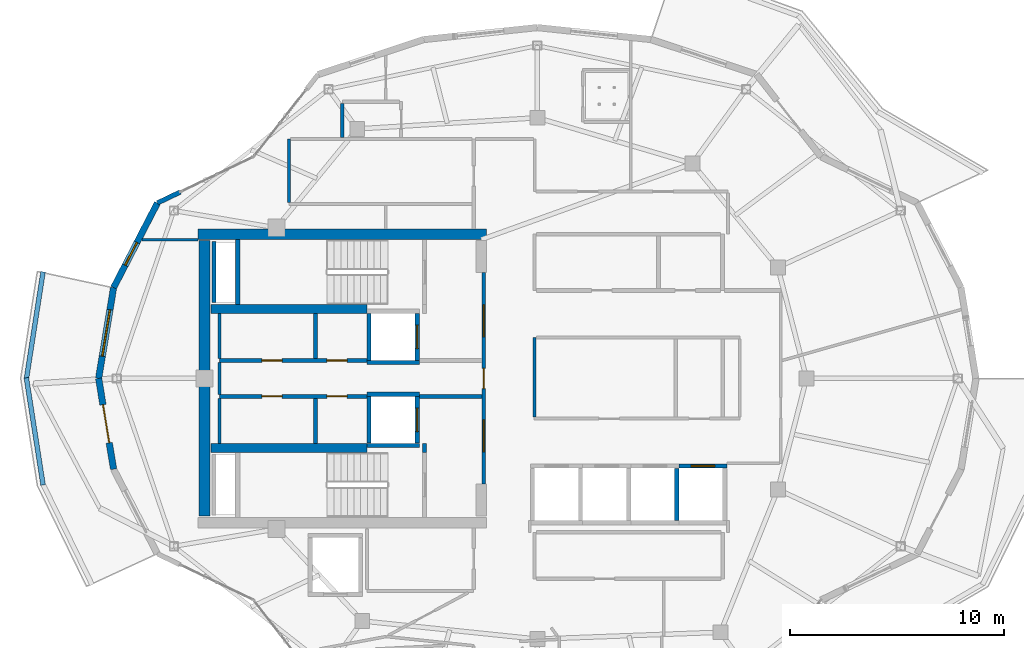
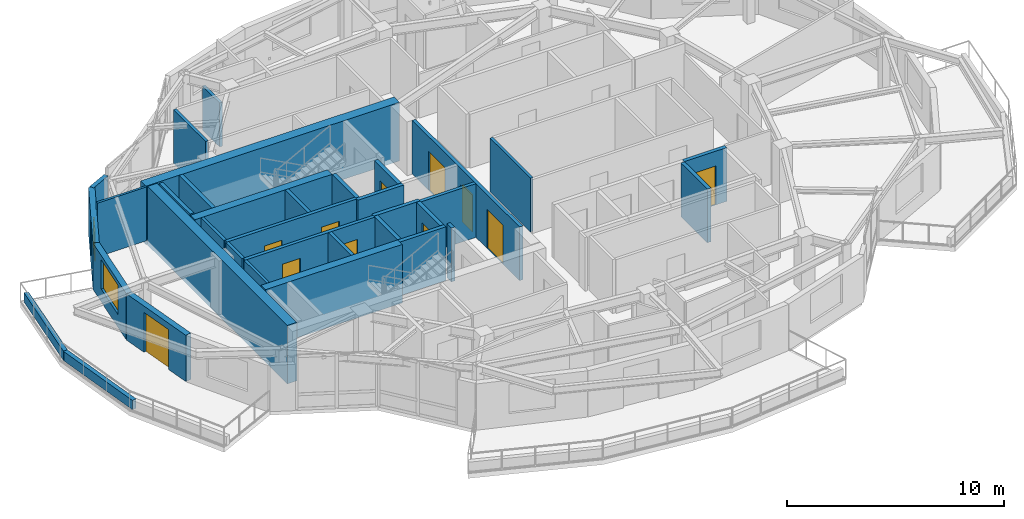
# One storey, part 9 of 15: 35 walls, 11 doors, 2 windows, 13 openings.
"""IFC4 building model written with IfcOpenShell, lengths in metres."""

from ifc_helpers import new_model, si_unit, direction, frame, frame_2d, origin, place, context, subcontext, project, spatial, rectangle, extrude, material, layer, layer_set, type_object, element, fill, save


model = new_model("IFC4")

# Units and contexts
model_context = context("Model", 3, precision=1e-05, world=origin(), true_north=direction((0.0, 1.0)))
body_context = subcontext(model_context, "Body", "Model", "MODEL_VIEW")
ifc_project = project(units=[si_unit("LENGTHUNIT", "METRE"), si_unit("AREAUNIT", "SQUARE_METRE"), si_unit("VOLUMEUNIT", "CUBIC_METRE"), si_unit("PLANEANGLEUNIT", "RADIAN"), si_unit("MASSUNIT", "GRAM", prefix="KILO")], contexts=[model_context])

# Site, building, storey
site_placement = place(None, origin())
site = spatial("IfcSite", under=ifc_project, at=site_placement, CompositionType="ELEMENT")
building_placement = place(site_placement, origin())
building = spatial("IfcBuilding", under=site, at=building_placement, Name="Kolvaren Gate Tower and Convention Centre", CompositionType="ELEMENT")
storey_placement = place(building_placement, frame((0.0, 0.0, 265.699951171875)))
storey = spatial("IfcBuildingStorey", under=building, at=storey_placement, Name="L72", CompositionType="ELEMENT", Elevation=265.699951171875)

# Wall
ifc_material_1 = material(Name="Autoclaved Aerated Masonry Blockwork Class 4 (4.0 MPa)", Category="masonry")
ifc_layer_1 = layer(ifc_material_1, 0.179931640625)
ifc_layer_set_1 = layer_set([ifc_layer_1], Name="Autoclaved Aerated Masonry Blockwork Class 4 (4.0 MPa)")
wall_type_1 = type_object("IfcWallType", Name="ARCH-WL-COMP-180", PredefinedType="SOLIDWALL", material=ifc_layer_set_1)
wall_1_placement = place(storey_placement, frame((24.85009765625, 23.5400390625, 0.0), z_axis=(0.0, 0.0, 1.0), x_axis=(0.0, 1.0, 0.0)))
element("IfcWall", 1, at=wall_1_placement, inside=storey, type_object=wall_type_1, Name="Interior Partition WL-L72-INT-001", PredefinedType="SOLIDWALL", context=body_context, shape_type="SweptSolid", body=[
    extrude(rectangle(XDim=0.419921875, YDim=0.179931640625, at=frame_2d((0.2099609375, 0.0))), origin(), (0.0, 0.0, 1.0), 3.030029296875),
])

# Wall, openings, doors
wall_2_placement = place(storey_placement, frame((27.6201171875, 22.050048828125, 0.0), z_axis=(0.0, 0.0, 1.0), x_axis=(0.0, 1.0, 0.0)))
wall_2 = element("IfcWall", 2, at=wall_2_placement, inside=storey, type_object=wall_type_1, Name="Interior Partition WL-L72-INT-003", PredefinedType="SOLIDWALL", context=body_context, shape_type="SweptSolid", body=[
    extrude(rectangle(XDim=9.89990234375, YDim=0.179931640625, at=frame_2d((4.949951171875, 0.0))), origin(), (0.0, 0.0, 1.0), 3.030029296875),
])
opening_1_placement = place(wall_2_placement, frame((4.47509765625, 0.0, 0.0)))
opening_1 = element("IfcOpeningElement", 3, at=opening_1_placement, cuts=wall_2, Name="Opening DR-01", PredefinedType="OPENING", context=body_context, shape_type="SweptSolid", body=[
    extrude(rectangle(XDim=0.949951171875, YDim=2.10009765625, at=frame_2d((0.47509765625, 1.050048828125))), frame((0.0, 0.099853515625, 0.0), z_axis=(0.0, -1.0, 0.0), x_axis=(1.0, 0.0, 0.0)), (0.0, 0.0, 1.0), 0.199951171875),
])
opening_2_placement = place(wall_2_placement, frame((6.889892578125, 0.0, 0.0)))
opening_2 = element("IfcOpeningElement", 4, at=opening_2_placement, cuts=wall_2, Name="Opening DL-01", PredefinedType="OPENING", context=body_context, shape_type="SweptSolid", body=[
    extrude(rectangle(XDim=1.5, YDim=2.199951171875, at=frame_2d((0.75, 1.10009765625))), frame((0.0, 0.099853515625, 0.0), z_axis=(0.0, -1.0, 0.0), x_axis=(1.0, 0.0, 0.0)), (0.0, 0.0, 1.0), 0.199951171875),
])
opening_3_placement = place(wall_2_placement, frame((1.510009765625, 0.0, 0.0)))
opening_3 = element("IfcOpeningElement", 5, at=opening_3_placement, cuts=wall_2, Name="Opening DL-01", PredefinedType="OPENING", context=body_context, shape_type="SweptSolid", body=[
    extrude(rectangle(XDim=1.5, YDim=2.199951171875, at=frame_2d((0.75, 1.10009765625))), frame((0.0, 0.099853515625, 0.0), z_axis=(0.0, -1.0, 0.0), x_axis=(1.0, 0.0, 0.0)), (0.0, 0.0, 1.0), 0.199951171875),
])
ifc_material_2 = material(Name="Painted Architectural Steelwork ASTM A500 Grade C 345 MPa", Category="steel")
door_type_1 = type_object("IfcDoorType", Name="ARCH-DR-LOBBY-1500", OperationType="DOUBLE_DOOR_SINGLE_SWING", PredefinedType="DOOR", material=ifc_material_2)
door_1_placement = place(opening_2_placement, origin())
door_1 = element("IfcDoor", 6, at=door_1_placement, inside=storey, type_object=door_type_1, Name="North Firefighting Stair and Lift Lobby Door", OperationType="DOUBLE_DOOR_SINGLE_SWING", OverallHeight=2.199951171875, OverallWidth=1.5, PredefinedType="DOOR", context=body_context, shape_type="SweptSolid", body=[
    extrude(rectangle(XDim=1.5, YDim=2.199951171875, at=frame_2d((0.75, 1.10009765625))), frame((0.0, 0.02490234375, 0.0), z_axis=(0.0, -1.0, 0.0), x_axis=(1.0, 0.0, 0.0)), (0.0, 0.0, 1.0), 0.050048828125),
])
fill(opening_2, door_1)
door_2_placement = place(opening_3_placement, origin())
door_2 = element("IfcDoor", 7, at=door_2_placement, inside=storey, type_object=door_type_1, Name="South Firefighting Stair and Lift Lobby Door", OperationType="DOUBLE_DOOR_SINGLE_SWING", OverallHeight=2.199951171875, OverallWidth=1.5, PredefinedType="DOOR", context=body_context, shape_type="SweptSolid", body=[
    extrude(rectangle(XDim=1.5, YDim=2.199951171875, at=frame_2d((0.75, 1.10009765625))), frame((0.0, 0.02490234375, 0.0), z_axis=(0.0, -1.0, 0.0), x_axis=(1.0, 0.0, 0.0)), (0.0, 0.0, 1.0), 0.050048828125),
])
fill(opening_3, door_2)
door_type_2 = type_object("IfcDoorType", Name="ARCH-DR-RISER-950", OperationType="SINGLE_SWING_RIGHT", PredefinedType="DOOR", material=ifc_material_2)
door_3_placement = place(opening_1_placement, origin())
door_3 = element("IfcDoor", 8, at=door_3_placement, inside=storey, type_object=door_type_2, Name="Central MEP Service Corridor Door", OperationType="SINGLE_SWING_LEFT", OverallHeight=2.10009765625, OverallWidth=0.949951171875, PredefinedType="DOOR", context=body_context, shape_type="SweptSolid", body=[
    extrude(rectangle(XDim=0.949951171875, YDim=2.10009765625, at=frame_2d((0.47509765625, 1.050048828125))), frame((0.0, 0.02490234375, 0.0), z_axis=(0.0, -1.0, 0.0), x_axis=(1.0, 0.0, 0.0)), (0.0, 0.0, 1.0), 0.050048828125),
])
fill(opening_1, door_3)

wall_3_placement = place(storey_placement, frame((15.25, 27.840087890625, 0.0), z_axis=(0.0, 0.0, 1.0), x_axis=(1.0, 0.0, 0.0)))
wall_3 = element("IfcWall", 9, at=wall_3_placement, inside=storey, type_object=wall_type_1, Name="Interior Partition WL-L72-INT-004", PredefinedType="SOLIDWALL", context=body_context, shape_type="SweptSolid", body=[
    extrude(rectangle(XDim=6.89990234375, YDim=0.179931640625, at=frame_2d((3.449951171875, 0.0))), origin(), (0.0, 0.0, 1.0), 3.030029296875),
])
opening_4_placement = place(wall_3_placement, frame((5.02001953125, 0.0, 0.0)))
opening_4 = element("IfcOpeningElement", 10, at=opening_4_placement, cuts=wall_3, Name="Opening DR-01", PredefinedType="OPENING", context=body_context, shape_type="SweptSolid", body=[
    extrude(rectangle(XDim=0.949951171875, YDim=2.10009765625, at=frame_2d((0.47509765625, 1.050048828125))), frame((0.0, 0.099853515625, 0.0), z_axis=(0.0, -1.0, 0.0), x_axis=(1.0, 0.0, 0.0)), (0.0, 0.0, 1.0), 0.199951171875),
])
opening_5_placement = place(wall_3_placement, frame((1.97998046875, 0.0, 0.0)))
opening_5 = element("IfcOpeningElement", 11, at=opening_5_placement, cuts=wall_3, Name="Opening DR-01", PredefinedType="OPENING", context=body_context, shape_type="SweptSolid", body=[
    extrude(rectangle(XDim=0.949951171875, YDim=2.10009765625, at=frame_2d((0.47509765625, 1.050048828125))), frame((0.0, 0.099853515625, 0.0), z_axis=(0.0, -1.0, 0.0), x_axis=(1.0, 0.0, 0.0)), (0.0, 0.0, 1.0), 0.199951171875),
])
door_4_placement = place(opening_4_placement, origin())
door_4 = element("IfcDoor", 12, at=door_4_placement, inside=storey, type_object=door_type_2, Name="Electrical Switchgear Closet Door", OperationType="SINGLE_SWING_RIGHT", OverallHeight=2.10009765625, OverallWidth=0.949951171875, PredefinedType="DOOR", context=body_context, shape_type="SweptSolid", body=[
    extrude(rectangle(XDim=0.949951171875, YDim=2.10009765625, at=frame_2d((0.47509765625, 1.050048828125))), frame((0.0, 0.02490234375, 0.0), z_axis=(0.0, -1.0, 0.0), x_axis=(1.0, 0.0, 0.0)), (0.0, 0.0, 1.0), 0.050048828125),
])
fill(opening_4, door_4)
door_5_placement = place(opening_5_placement, origin())
door_5 = element("IfcDoor", 13, at=door_5_placement, inside=storey, type_object=door_type_2, Name="Staff Powder Washroom Door", OperationType="SINGLE_SWING_RIGHT", OverallHeight=2.10009765625, OverallWidth=0.949951171875, PredefinedType="DOOR", context=body_context, shape_type="SweptSolid", body=[
    extrude(rectangle(XDim=0.949951171875, YDim=2.10009765625, at=frame_2d((0.47509765625, 1.050048828125))), frame((0.0, 0.02490234375, 0.0), z_axis=(0.0, -1.0, 0.0), x_axis=(1.0, 0.0, 0.0)), (0.0, 0.0, 1.0), 0.050048828125),
])
fill(opening_5, door_5)

wall_4_placement = place(storey_placement, frame((15.25, 26.159912109375, 0.0), z_axis=(0.0, 0.0, 1.0), x_axis=(1.0, 0.0, 0.0)))
wall_4 = element("IfcWall", 14, at=wall_4_placement, inside=storey, type_object=wall_type_1, Name="Interior Partition WL-L72-INT-005", PredefinedType="SOLIDWALL", context=body_context, shape_type="SweptSolid", body=[
    extrude(rectangle(XDim=6.89990234375, YDim=0.179931640625, at=frame_2d((3.449951171875, 0.0))), origin(), (0.0, 0.0, 1.0), 3.030029296875),
])
opening_6_placement = place(wall_4_placement, frame((5.02001953125, 0.0, 0.0)))
opening_6 = element("IfcOpeningElement", 15, at=opening_6_placement, cuts=wall_4, Name="Opening DR-01", PredefinedType="OPENING", context=body_context, shape_type="SweptSolid", body=[
    extrude(rectangle(XDim=0.949951171875, YDim=2.10009765625, at=frame_2d((0.47509765625, 1.050048828125))), frame((0.0, 0.099853515625, 0.0), z_axis=(0.0, -1.0, 0.0), x_axis=(1.0, 0.0, 0.0)), (0.0, 0.0, 1.0), 0.199951171875),
])
opening_7_placement = place(wall_4_placement, frame((1.97998046875, 0.0, 0.0)))
opening_7 = element("IfcOpeningElement", 16, at=opening_7_placement, cuts=wall_4, Name="Opening DR-01", PredefinedType="OPENING", context=body_context, shape_type="SweptSolid", body=[
    extrude(rectangle(XDim=0.949951171875, YDim=2.10009765625, at=frame_2d((0.47509765625, 1.050048828125))), frame((0.0, 0.099853515625, 0.0), z_axis=(0.0, -1.0, 0.0), x_axis=(1.0, 0.0, 0.0)), (0.0, 0.0, 1.0), 0.199951171875),
])
door_6_placement = place(opening_6_placement, origin())
door_6 = element("IfcDoor", 17, at=door_6_placement, inside=storey, type_object=door_type_2, Name="Domestic Water Meter Closet Door", OperationType="SINGLE_SWING_LEFT", OverallHeight=2.10009765625, OverallWidth=0.949951171875, PredefinedType="DOOR", context=body_context, shape_type="SweptSolid", body=[
    extrude(rectangle(XDim=0.949951171875, YDim=2.10009765625, at=frame_2d((0.47509765625, 1.050048828125))), frame((0.0, 0.02490234375, 0.0), z_axis=(0.0, -1.0, 0.0), x_axis=(1.0, 0.0, 0.0)), (0.0, 0.0, 1.0), 0.050048828125),
])
fill(opening_6, door_6)
door_7_placement = place(opening_7_placement, origin())
door_7 = element("IfcDoor", 18, at=door_7_placement, inside=storey, type_object=door_type_2, Name="Janitor Equipment Store Door", OperationType="SINGLE_SWING_LEFT", OverallHeight=2.10009765625, OverallWidth=0.949951171875, PredefinedType="DOOR", context=body_context, shape_type="SweptSolid", body=[
    extrude(rectangle(XDim=0.949951171875, YDim=2.10009765625, at=frame_2d((0.47509765625, 1.050048828125))), frame((0.0, 0.02490234375, 0.0), z_axis=(0.0, -1.0, 0.0), x_axis=(1.0, 0.0, 0.0)), (0.0, 0.0, 1.0), 0.050048828125),
])
fill(opening_7, door_7)

# Walls
wall_5_placement = place(storey_placement, frame((24.60009765625, 26.159912109375, 0.0), z_axis=(0.0, 0.0, 1.0), x_axis=(1.0, 0.0, 0.0)))
element("IfcWall", 19, at=wall_5_placement, inside=storey, type_object=wall_type_1, Name="Interior Partition WL-L72-INT-005 (2)", PredefinedType="SOLIDWALL", context=body_context, shape_type="SweptSolid", body=[
    extrude(rectangle(XDim=2.927978515625, YDim=0.179931640625, at=frame_2d((1.4638671875, 0.0))), origin(), (0.0, 0.0, 1.0), 3.030029296875),
])
for number, where, z_axis, x_axis, name in (
    (20, (19.75, 23.9619140625, 0.0), (0.0, 0.0, 1.0), (0.0, 1.0, 0.0), "Interior Partition WL-L72-INT-007"),
    (21, (19.75, 27.931884765625, 0.0), (0.0, 0.0, 1.0), (0.0, 1.0, 0.0), "Interior Partition WL-L72-INT-008"),
):
    element("IfcWall", number, at=place(storey_placement, frame(where, z_axis=z_axis, x_axis=x_axis)), inside=storey, type_object=wall_type_1, Name=name, PredefinedType="SOLIDWALL", context=body_context, shape_type="SweptSolid", body=[
        extrude(rectangle(XDim=2.106201171875, YDim=0.179931640625, at=frame_2d((1.05322265625, 0.0))), origin(), (0.0, 0.0, 1.0), 3.030029296875),
    ])
ifc_material_3 = material(Name="Fire-Rated Acoustic Gypsum Stud Partition", Category="gypsum")
ifc_layer_2 = layer(ifc_material_3, 0.1201171875)
ifc_layer_set_2 = layer_set([ifc_layer_2], Name="Fire-Rated Acoustic Gypsum Stud Partition")
wall_type_2 = type_object("IfcWallType", Name="ARCH-WL-PART-120", PredefinedType="PARTITIONING", material=ifc_layer_set_2)
wall_6_placement = place(storey_placement, frame((11.62890625, 33.5, 0.0), z_axis=(0.0, 0.0, 1.0), x_axis=(1.0, 0.0, 0.0)))
element("IfcWall", 22, at=wall_6_placement, inside=storey, type_object=wall_type_2, Name="Interior Partition WL-L72-INT-049", PredefinedType="PARTITIONING", context=body_context, shape_type="SweptSolid", body=[
    extrude(rectangle(XDim=2.62109375, YDim=0.1201171875, at=frame_2d((1.310546875, 0.0))), origin(), (0.0, 0.0, 1.0), 3.030029296875),
])
ifc_material_4 = material(Name="Bogota Sabana Bush-Hammered Sandstone Cladding", Category="masonry")
ifc_layer_3 = layer(ifc_material_4, 0.219970703125)
ifc_layer_set_3 = layer_set([ifc_layer_3], Name="Bogota Sabana Bush-Hammered Sandstone Cladding")
wall_type_3 = type_object("IfcWallType", Name="ARCH-WL-PIER-220", PredefinedType="SOLIDWALL", material=ifc_layer_set_3)
wall_7_placement = place(storey_placement, frame((12.344482421875, 35.21240234375, 0.0), z_axis=(0.0, 0.0, 1.0), x_axis=(0.901264843027, 0.433268603437, 0.0)))
element("IfcWall", 23, at=wall_7_placement, inside=storey, type_object=wall_type_3, Name="Tower L72 Unitised Curtain Wall CW-RES-UNIT Bay 09 Left Column Pier Wrap", PredefinedType="SOLIDWALL", context=body_context, shape_type="SweptSolid", body=[
    extrude(rectangle(XDim=1.18115234375, YDim=0.219970703125, at=frame_2d((0.590576171875, 0.0))), origin(), (0.0, 0.0, 1.0), 2.60498046875),
])
ifc_material_5 = material(Name="Piedmont Cream Honed Limestone Cladding", Category="masonry")
ifc_layer_4 = layer(ifc_material_5, 0.219970703125)
ifc_layer_set_4 = layer_set([ifc_layer_4], Name="Piedmont Cream Honed Limestone Cladding")
wall_type_4 = type_object("IfcWallType", Name="ARCH-WL-PLANTER-220", PredefinedType="PARAPET", material=ifc_layer_set_4)
for number, where, z_axis, x_axis, name in (
    (24, (6.21240234375, 26.970703125, 0.0), (0.0, 0.0, 1.0), (0.15374038442, 0.988111276223, 0.0), "Vertical-Forest Balcony Stone Planter Kerb PK-L72-2.1"),
    (25, (6.21240234375, 27.029296875, 0.0), (0.0, 0.0, 1.0), (0.15374038442, -0.988111276223, 0.0), "Vertical-Forest Balcony Stone Planter Kerb PK-L72-2.2"),
):
    element("IfcWall", number, at=place(storey_placement, frame(where, z_axis=z_axis, x_axis=x_axis)), inside=storey, type_object=wall_type_4, Name=name, PredefinedType="PARAPET", context=body_context, shape_type="SweptSolid", body=[
        extrude(rectangle(XDim=5.078369140625, YDim=0.219970703125, at=frame_2d((2.5390625, 0.0))), origin(), (0.0, 0.0, 1.0), 0.52001953125),
    ])
ifc_layer_5 = layer(ifc_material_1, 0.199951171875)
ifc_layer_set_5 = layer_set([ifc_layer_5], Name="Autoclaved Aerated Masonry Blockwork Class 4 (4.0 MPa)")
wall_type_5 = type_object("IfcWallType", Name="ARCH-WL-SHAFT-200", PredefinedType="SOLIDWALL", material=ifc_layer_set_5)
wall_8_placement = place(storey_placement, frame((22.14990234375, 27.739990234375, 0.0), z_axis=(0.0, 0.0, 1.0), x_axis=(1.0, 0.0, 0.0)))
element("IfcWall", 26, at=wall_8_placement, inside=storey, type_object=wall_type_5, Name="Elevator FF-01 L72 Fire Shaft Wall S", PredefinedType="SOLIDWALL", context=body_context, shape_type="SweptSolid", body=[
    extrude(rectangle(XDim=2.4501953125, YDim=0.199951171875, at=frame_2d((1.22509765625, 0.0))), origin(), (0.0, 0.0, 1.0), 3.030029296875),
])
wall_9_placement = place(storey_placement, frame((22.25, 27.85009765625, 0.0), z_axis=(0.0, 0.0, 1.0), x_axis=(0.0, 1.0, 0.0)))
element("IfcWall", 27, at=wall_9_placement, inside=storey, type_object=wall_type_5, Name="Elevator FF-01 L72 Fire Shaft Wall W", PredefinedType="SOLIDWALL", context=body_context, shape_type="SweptSolid", body=[
    extrude(rectangle(XDim=2.179931640625, YDim=0.199951171875, at=frame_2d((1.08984375, 0.0))), origin(), (0.0, 0.0, 1.0), 3.030029296875),
])

# Wall, opening, door
wall_10_placement = place(storey_placement, frame((24.5, 27.85009765625, 0.0), z_axis=(0.0, 0.0, 1.0), x_axis=(0.0, 1.0, 0.0)))
wall_10 = element("IfcWall", 28, at=wall_10_placement, inside=storey, type_object=wall_type_5, Name="Elevator FF-01 L72 Fire Shaft Wall E", PredefinedType="SOLIDWALL", context=body_context, shape_type="SweptSolid", body=[
    extrude(rectangle(XDim=2.179931640625, YDim=0.199951171875, at=frame_2d((1.08984375, 0.0))), origin(), (0.0, 0.0, 1.0), 3.030029296875),
])
opening_8_placement = place(wall_10_placement, frame((0.5400390625, 0.0, 0.0)))
opening_8 = element("IfcOpeningElement", 29, at=opening_8_placement, cuts=wall_10, Name="Opening LD", PredefinedType="OPENING", context=body_context, shape_type="SweptSolid", body=[
    extrude(rectangle(XDim=1.10009765625, YDim=2.199951171875, at=frame_2d((0.550048828125, 1.10009765625))), frame((0.0, 0.10986328125, 0.0), z_axis=(0.0, -1.0, 0.0), x_axis=(1.0, 0.0, 0.0)), (0.0, 0.0, 1.0), 0.219970703125),
])
ifc_material_6 = material(Name="Brushed Stainless Steel Grade 316L", Category="steel")
door_type_3 = type_object("IfcDoorType", Name="ARCH-DR-LIFT-1100", OperationType="SLIDING_TO_LEFT", PredefinedType="DOOR", material=ifc_material_6)
door_8_placement = place(opening_8_placement, origin())
door_8 = element("IfcDoor", 30, at=door_8_placement, inside=storey, type_object=door_type_3, Name="Elevator FF-01 L72 Sliding Landing Door", OperationType="SLIDING_TO_LEFT", OverallHeight=2.199951171875, OverallWidth=1.10009765625, PredefinedType="DOOR", context=body_context, shape_type="SweptSolid", body=[
    extrude(rectangle(XDim=1.10009765625, YDim=2.199951171875, at=frame_2d((0.550048828125, 1.10009765625))), frame((0.0, 0.02490234375, 0.0), z_axis=(0.0, -1.0, 0.0), x_axis=(1.0, 0.0, 0.0)), (0.0, 0.0, 1.0), 0.050048828125),
])
fill(opening_8, door_8)

# Walls
for number, where, z_axis, x_axis, name in (
    (31, (22.14990234375, 26.260009765625, 0.0), (0.0, 0.0, 1.0), (1.0, 0.0, 0.0), "Elevator FF-02 L72 Fire Shaft Wall N"),
    (32, (22.14990234375, 23.860107421875, 0.0), (0.0, 0.0, 1.0), (1.0, 0.0, 0.0), "Elevator FF-02 L72 Fire Shaft Wall S"),
):
    element("IfcWall", number, at=place(storey_placement, frame(where, z_axis=z_axis, x_axis=x_axis)), inside=storey, type_object=wall_type_5, Name=name, PredefinedType="SOLIDWALL", context=body_context, shape_type="SweptSolid", body=[
        extrude(rectangle(XDim=2.4501953125, YDim=0.199951171875, at=frame_2d((1.22509765625, 0.0))), origin(), (0.0, 0.0, 1.0), 3.030029296875),
    ])
wall_11_placement = place(storey_placement, frame((22.25, 23.969970703125, 0.0), z_axis=(0.0, 0.0, 1.0), x_axis=(0.0, 1.0, 0.0)))
element("IfcWall", 33, at=wall_11_placement, inside=storey, type_object=wall_type_5, Name="Elevator FF-02 L72 Fire Shaft Wall W", PredefinedType="SOLIDWALL", context=body_context, shape_type="SweptSolid", body=[
    extrude(rectangle(XDim=2.179931640625, YDim=0.199951171875, at=frame_2d((1.08984375, 0.0))), origin(), (0.0, 0.0, 1.0), 3.030029296875),
])

# Wall, opening, door
wall_12_placement = place(storey_placement, frame((24.5, 23.969970703125, 0.0), z_axis=(0.0, 0.0, 1.0), x_axis=(0.0, 1.0, 0.0)))
wall_12 = element("IfcWall", 34, at=wall_12_placement, inside=storey, type_object=wall_type_5, Name="Elevator FF-02 L72 Fire Shaft Wall E", PredefinedType="SOLIDWALL", context=body_context, shape_type="SweptSolid", body=[
    extrude(rectangle(XDim=2.179931640625, YDim=0.199951171875, at=frame_2d((1.08984375, 0.0))), origin(), (0.0, 0.0, 1.0), 3.030029296875),
])
opening_9_placement = place(wall_12_placement, frame((0.5400390625, 0.0, 0.0)))
opening_9 = element("IfcOpeningElement", 35, at=opening_9_placement, cuts=wall_12, Name="Opening LD", PredefinedType="OPENING", context=body_context, shape_type="SweptSolid", body=[
    extrude(rectangle(XDim=1.10009765625, YDim=2.199951171875, at=frame_2d((0.550048828125, 1.10009765625))), frame((0.0, 0.10986328125, 0.0), z_axis=(0.0, -1.0, 0.0), x_axis=(1.0, 0.0, 0.0)), (0.0, 0.0, 1.0), 0.219970703125),
])
door_9_placement = place(opening_9_placement, origin())
door_9 = element("IfcDoor", 36, at=door_9_placement, inside=storey, type_object=door_type_3, Name="Elevator FF-02 L72 Sliding Landing Door", OperationType="SLIDING_TO_LEFT", OverallHeight=2.199951171875, OverallWidth=1.10009765625, PredefinedType="DOOR", context=body_context, shape_type="SweptSolid", body=[
    extrude(rectangle(XDim=1.10009765625, YDim=2.199951171875, at=frame_2d((0.550048828125, 1.10009765625))), frame((0.0, 0.02490234375, 0.0), z_axis=(0.0, -1.0, 0.0), x_axis=(1.0, 0.0, 0.0)), (0.0, 0.0, 1.0), 0.050048828125),
])
fill(opening_9, door_9)

# Wall
wall_13_placement = place(storey_placement, frame((36.64990234375, 20.360107421875, 0.0), z_axis=(0.0, 0.0, 1.0), x_axis=(0.0, 1.0, 0.0)))
element("IfcWall", 37, at=wall_13_placement, inside=storey, type_object=wall_type_5, Name="Elevator PL-11 L72 Fire Shaft Wall E", PredefinedType="SOLIDWALL", context=body_context, shape_type="SweptSolid", body=[
    extrude(rectangle(XDim=2.429931640625, YDim=0.199951171875, at=frame_2d((1.21484375, 0.0))), origin(), (0.0, 0.0, 1.0), 3.030029296875),
])

# Wall, opening, door
wall_14_placement = place(storey_placement, frame((36.75, 22.89990234375, 0.0), z_axis=(0.0, 0.0, 1.0), x_axis=(1.0, 0.0, 0.0)))
wall_14 = element("IfcWall", 38, at=wall_14_placement, inside=storey, type_object=wall_type_5, Name="Elevator PL-12 L72 Fire Shaft Wall N", PredefinedType="SOLIDWALL", context=body_context, shape_type="SweptSolid", body=[
    extrude(rectangle(XDim=2.25, YDim=0.199951171875, at=frame_2d((1.125, 0.0))), origin(), (0.0, 0.0, 1.0), 3.030029296875),
])
opening_10_placement = place(wall_14_placement, frame((0.574951171875, 0.0, 0.0)))
opening_10 = element("IfcOpeningElement", 39, at=opening_10_placement, cuts=wall_14, Name="Opening LD", PredefinedType="OPENING", context=body_context, shape_type="SweptSolid", body=[
    extrude(rectangle(XDim=1.10009765625, YDim=2.199951171875, at=frame_2d((0.550048828125, 1.10009765625))), frame((0.0, 0.10986328125, 0.0), z_axis=(0.0, -1.0, 0.0), x_axis=(1.0, 0.0, 0.0)), (0.0, 0.0, 1.0), 0.219970703125),
])
door_10_placement = place(opening_10_placement, origin())
door_10 = element("IfcDoor", 40, at=door_10_placement, inside=storey, type_object=door_type_3, Name="Elevator PL-12 L72 Sliding Landing Door", OperationType="SLIDING_TO_LEFT", OverallHeight=2.199951171875, OverallWidth=1.10009765625, PredefinedType="DOOR", context=body_context, shape_type="SweptSolid", body=[
    extrude(rectangle(XDim=1.10009765625, YDim=2.199951171875, at=frame_2d((0.550048828125, 1.10009765625))), frame((0.0, 0.02490234375, 0.0), z_axis=(0.0, -1.0, 0.0), x_axis=(1.0, 0.0, 0.0)), (0.0, 0.0, 1.0), 0.050048828125),
])
fill(opening_10, door_10)

# Wall
wall_15_placement = place(storey_placement, frame((14.989990234375, 30.550048828125, 0.0), z_axis=(0.0, 0.0, 1.0), x_axis=(0.0, 1.0, 0.0)))
element("IfcWall", 41, at=wall_15_placement, inside=storey, type_object=wall_type_5, Name="Vertical Shaft HVR L72 EI-120 Enclosure Wall W", PredefinedType="SOLIDWALL", context=body_context, shape_type="SweptSolid", body=[
    extrude(rectangle(XDim=2.849853515625, YDim=0.199951171875, at=frame_2d((1.4248046875, 0.0))), origin(), (0.0, 0.0, 1.0), 3.030029296875),
])

# Wall, opening, window
ifc_layer_6 = layer(ifc_material_5, 0.300048828125)
ifc_layer_set_6 = layer_set([ifc_layer_6], Name="Piedmont Cream Honed Limestone Cladding")
wall_type_6 = type_object("IfcWallType", Name="ARCH-WL-STONE-300", PredefinedType="SOLIDWALL", material=ifc_layer_set_6)
wall_16_placement = place(storey_placement, frame((10.29345703125, 31.251220703125, 0.0), z_axis=(0.0, 0.0, 1.0), x_axis=(0.459801070243, 0.888021945564, 0.0)))
wall_16 = element("IfcWall", 42, at=wall_16_placement, inside=storey, type_object=wall_type_6, Name="Tower L72 Honed Stone Spandrel Wall EW-10", PredefinedType="SOLIDWALL", context=body_context, shape_type="SweptSolid", body=[
    extrude(rectangle(XDim=4.460693359375, YDim=0.300048828125, at=frame_2d((2.23046875, 0.0))), origin(), (0.0, 0.0, 1.0), 2.60498046875),
])
opening_11_placement = place(wall_16_placement, frame((1.179931640625, 0.0, 0.719970703125)))
opening_11 = element("IfcOpeningElement", 43, at=opening_11_placement, cuts=wall_16, Name="Opening W-04", PredefinedType="OPENING", context=body_context, shape_type="SweptSolid", body=[
    extrude(rectangle(XDim=1.199951171875, YDim=1.64990234375, at=frame_2d((0.60009765625, 0.824951171875))), frame((0.0, 0.159912109375, 0.0), z_axis=(0.0, -1.0, 0.0), x_axis=(1.0, 0.0, 0.0)), (0.0, 0.0, 1.0), 0.320068359375),
])
ifc_material_7 = material(Name="Low-E Triple Insulated Glazing Unit 44 mm", Category="glass")
window_type_1 = type_object("IfcWindowType", Name="ARCH-WN-NARROW-1200", PartitioningType="SINGLE_PANEL", PredefinedType="WINDOW", material=ifc_material_7)
window_1_placement = place(opening_11_placement, origin())
window_1 = element("IfcWindow", 44, at=window_1_placement, inside=storey, type_object=window_type_1, Name="Tower L72 Punched Stone Facade Window W-10", OverallHeight=1.64990234375, OverallWidth=1.199951171875, PartitioningType="SINGLE_PANEL", PredefinedType="WINDOW", context=body_context, shape_type="SweptSolid", body=[
    extrude(rectangle(XDim=1.199951171875, YDim=1.64990234375, at=frame_2d((0.60009765625, 0.824951171875))), frame((0.0, 0.030029296875, 0.0), z_axis=(0.0, -1.0, 0.0), x_axis=(1.0, 0.0, 0.0)), (0.0, 0.0, 1.0), 0.06005859375),
])
fill(opening_11, window_1)

wall_17_placement = place(storey_placement, frame((9.59375, 27.0, 0.0), z_axis=(0.0, 0.0, 1.0), x_axis=(0.162404622434, 0.98672424649, 0.0)))
wall_17 = element("IfcWall", 45, at=wall_17_placement, inside=storey, type_object=wall_type_6, Name="Tower L72 Honed Stone Spandrel Wall EW-11", PredefinedType="SOLIDWALL", context=body_context, shape_type="SweptSolid", body=[
    extrude(rectangle(XDim=4.308349609375, YDim=0.300048828125, at=frame_2d((2.154296875, 0.0))), origin(), (0.0, 0.0, 1.0), 2.60498046875),
])
opening_12_placement = place(wall_17_placement, frame((1.053955078125, 0.0, 0.719970703125)))
opening_12 = element("IfcOpeningElement", 46, at=opening_12_placement, cuts=wall_17, Name="Opening W-03", PredefinedType="OPENING", context=body_context, shape_type="SweptSolid", body=[
    extrude(rectangle(XDim=2.199951171875, YDim=1.64990234375, at=frame_2d((1.10009765625, 0.824951171875))), frame((0.0, 0.159912109375, 0.0), z_axis=(0.0, -1.0, 0.0), x_axis=(1.0, 0.0, 0.0)), (0.0, 0.0, 1.0), 0.320068359375),
])
window_type_2 = type_object("IfcWindowType", Name="ARCH-WN-RES-2200", PartitioningType="SINGLE_PANEL", PredefinedType="WINDOW", material=ifc_material_7)
window_2_placement = place(opening_12_placement, origin())
window_2 = element("IfcWindow", 47, at=window_2_placement, inside=storey, type_object=window_type_2, Name="Tower L72 Punched Stone Facade Window W-11", OverallHeight=1.64990234375, OverallWidth=2.199951171875, PartitioningType="SINGLE_PANEL", PredefinedType="WINDOW", context=body_context, shape_type="SweptSolid", body=[
    extrude(rectangle(XDim=2.199951171875, YDim=1.64990234375, at=frame_2d((1.10009765625, 0.824951171875))), frame((0.0, 0.030029296875, 0.0), z_axis=(0.0, -1.0, 0.0), x_axis=(1.0, 0.0, 0.0)), (0.0, 0.0, 1.0), 0.06005859375),
])
fill(opening_12, window_2)

# Wall, opening, door
wall_18_placement = place(storey_placement, frame((9.59375, 27.0, 0.0), z_axis=(0.0, 0.0, 1.0), x_axis=(0.162404622434, -0.98672424649, 0.0)))
wall_18 = element("IfcWall", 48, at=wall_18_placement, inside=storey, type_object=wall_type_6, Name="Tower L72 Honed Stone Spandrel Wall EW-12", PredefinedType="SOLIDWALL", context=body_context, shape_type="SweptSolid", body=[
    extrude(rectangle(XDim=4.308349609375, YDim=0.300048828125, at=frame_2d((2.154296875, 0.0))), origin(), (0.0, 0.0, 1.0), 2.60498046875),
])
opening_13_placement = place(wall_18_placement, frame((1.25390625, 0.0, 0.0)))
opening_13 = element("IfcOpeningElement", 49, at=opening_13_placement, cuts=wall_18, Name="Opening DB-01", PredefinedType="OPENING", context=body_context, shape_type="SweptSolid", body=[
    extrude(rectangle(XDim=1.800048828125, YDim=2.25, at=frame_2d((0.89990234375, 1.125))), frame((0.0, 0.159912109375, 0.0), z_axis=(0.0, -1.0, 0.0), x_axis=(1.0, 0.0, 0.0)), (0.0, 0.0, 1.0), 0.320068359375),
])
ifc_material_8 = material(Name="Anodized Architectural Aluminium Alloy 6063-T6", Category="aluminium")
door_type_4 = type_object("IfcDoorType", Name="ARCH-DR-BALC-1800", OperationType="SLIDING_TO_LEFT", PredefinedType="DOOR", material=ifc_material_8)
door_11_placement = place(opening_13_placement, frame((1.800048828125, 0.0, 0.0), z_axis=(0.0, 0.0, 1.0), x_axis=(-1.0, 0.0, 0.0)))
door_11 = element("IfcDoor", 50, at=door_11_placement, inside=storey, type_object=door_type_4, Name="Planted Sky Terrace Access Door DB-L72-12", OperationType="SLIDING_TO_LEFT", OverallHeight=2.25, OverallWidth=1.800048828125, PredefinedType="DOOR", context=body_context, shape_type="SweptSolid", body=[
    extrude(rectangle(XDim=1.800048828125, YDim=2.25, at=frame_2d((0.89990234375, 1.125))), frame((0.0, 0.02490234375, 0.0), z_axis=(0.0, -1.0, 0.0), x_axis=(1.0, 0.0, 0.0)), (0.0, 0.0, 1.0), 0.050048828125),
])
fill(opening_13, door_11)

# Walls
ifc_material_9 = material(Name="Moisture-Resistant Cement-Board Acoustic Partition", Category="gypsum")
ifc_layer_7 = layer(ifc_material_9, 0.14990234375)
ifc_layer_set_7 = layer_set([ifc_layer_7], Name="Moisture-Resistant Cement-Board Acoustic Partition")
wall_type_7 = type_object("IfcWallType", Name="ARCH-WL-WET-150", PredefinedType="PARTITIONING", material=ifc_layer_set_7)
wall_19_placement = place(storey_placement, frame((15.25, 23.9619140625, 0.0), z_axis=(0.0, 0.0, 1.0), x_axis=(0.0, 1.0, 0.0)))
element("IfcWall", 51, at=wall_19_placement, inside=storey, type_object=wall_type_7, Name="Interior Partition WL-L72-INT-006", PredefinedType="PARTITIONING", context=body_context, shape_type="SweptSolid", body=[
    extrude(rectangle(XDim=2.106201171875, YDim=0.14990234375, at=frame_2d((1.05322265625, 0.0))), origin(), (0.0, 0.0, 1.0), 3.030029296875),
])
wall_20_placement = place(storey_placement, frame((15.25, 26.251953125, 0.0), z_axis=(0.0, 0.0, 1.0), x_axis=(0.0, 1.0, 0.0)))
element("IfcWall", 52, at=wall_20_placement, inside=storey, type_object=wall_type_7, Name="Interior Partition WL-L72-INT-006 (2)", PredefinedType="PARTITIONING", context=body_context, shape_type="SweptSolid", body=[
    extrude(rectangle(XDim=1.49609375, YDim=0.14990234375, at=frame_2d((0.748046875, 0.0))), origin(), (0.0, 0.0, 1.0), 3.030029296875),
])
wall_21_placement = place(storey_placement, frame((15.25, 27.931884765625, 0.0), z_axis=(0.0, 0.0, 1.0), x_axis=(0.0, 1.0, 0.0)))
element("IfcWall", 53, at=wall_21_placement, inside=storey, type_object=wall_type_7, Name="Interior Partition WL-L72-INT-006 (3)", PredefinedType="PARTITIONING", context=body_context, shape_type="SweptSolid", body=[
    extrude(rectangle(XDim=2.106201171875, YDim=0.14990234375, at=frame_2d((1.05322265625, 0.0))), origin(), (0.0, 0.0, 1.0), 3.030029296875),
])
wall_22_placement = place(storey_placement, frame((30.0, 25.197021484375, 0.0), z_axis=(0.0, 0.0, 1.0), x_axis=(0.0, 1.0, 0.0)))
element("IfcWall", 54, at=wall_22_placement, inside=storey, type_object=wall_type_7, Name="Interior Partition WL-L72-INT-016", PredefinedType="PARTITIONING", context=body_context, shape_type="SweptSolid", body=[
    extrude(rectangle(XDim=3.722900390625, YDim=0.14990234375, at=frame_2d((1.861328125, 0.0))), origin(), (0.0, 0.0, 1.0), 3.030029296875),
])
wall_23_placement = place(storey_placement, frame((18.5, 35.237060546875, 0.0), z_axis=(0.0, 0.0, 1.0), x_axis=(0.0, 1.0, 0.0)))
element("IfcWall", 55, at=wall_23_placement, inside=storey, type_object=wall_type_7, Name="Interior Partition WL-L72-INT-030", PredefinedType="PARTITIONING", context=body_context, shape_type="SweptSolid", body=[
    extrude(rectangle(XDim=2.962890625, YDim=0.14990234375, at=frame_2d((1.4814453125, 0.0))), origin(), (0.0, 0.0, 1.0), 3.030029296875),
])
wall_24_placement = place(storey_placement, frame((21.0, 38.277099609375, 0.0), z_axis=(0.0, 0.0, 1.0), x_axis=(0.0, 1.0, 0.0)))
element("IfcWall", 56, at=wall_24_placement, inside=storey, type_object=wall_type_7, Name="Interior Partition WL-L72-INT-063", PredefinedType="PARTITIONING", context=body_context, shape_type="SweptSolid", body=[
    extrude(rectangle(XDim=1.595947265625, YDim=0.14990234375, at=frame_2d((0.7978515625, 0.0))), origin(), (0.0, 0.0, 1.0), 2.47802734375),
])
ifc_material_10 = material(Name="Concrete C50/60", Category="concrete")
ifc_layer_8 = layer(ifc_material_10, 0.419921875)
ifc_layer_set_8 = layer_set([ifc_layer_8], Name="Concrete C50/60")
wall_type_8 = type_object("IfcWallType", Name="STR-WL-CONV-420", PredefinedType="SHEAR", material=ifc_layer_set_8)
for number, where, z_axis, x_axis, name in (
    (57, (14.85009765625, 30.25, -0.27001953125), (0.0, 0.0, 1.0), (1.0, 0.0, 0.0), "Tower L72 Offset Core Shear Wall WN"),
    (58, (14.85009765625, 23.75, -0.27001953125), (0.0, 0.0, 1.0), (1.0, 0.0, 0.0), "Tower L72 Offset Core Shear Wall WS"),
):
    element("IfcWall", number, at=place(storey_placement, frame(where, z_axis=z_axis, x_axis=x_axis)), inside=storey, type_object=wall_type_8, Name=name, PredefinedType="SHEAR", context=body_context, shape_type="SweptSolid", body=[
        extrude(rectangle(XDim=7.2998046875, YDim=0.419921875, at=frame_2d((3.64990234375, 0.0))), origin(), (0.0, 0.0, 1.0), 3.300048828125),
    ])
ifc_layer_9 = layer(ifc_material_10, 0.5)
ifc_layer_set_9 = layer_set([ifc_layer_9], Name="Concrete C50/60")
wall_type_9 = type_object("IfcWallType", Name="STR-WL-CORE-500", PredefinedType="SHEAR", material=ifc_layer_set_9)
wall_25_placement = place(storey_placement, frame((14.25, 33.75, -0.27001953125), z_axis=(0.0, 0.0, 1.0), x_axis=(1.0, 0.0, 0.0)))
element("IfcWall", 59, at=wall_25_placement, inside=storey, type_object=wall_type_9, Name="Tower L72 Offset Core Shear Wall N", PredefinedType="SHEAR", context=body_context, shape_type="SweptSolid", body=[
    extrude(rectangle(XDim=13.5, YDim=0.5, at=frame_2d((6.75, 0.0))), origin(), (0.0, 0.0, 1.0), 3.300048828125),
])
wall_26_placement = place(storey_placement, frame((14.550048828125, 20.550048828125, -0.27001953125), z_axis=(0.0, 0.0, 1.0), x_axis=(0.0, 1.0, 0.0)))
element("IfcWall", 60, at=wall_26_placement, inside=storey, type_object=wall_type_9, Name="Tower L72 Offset Core Shear Wall W", PredefinedType="SHEAR", context=body_context, shape_type="SweptSolid", body=[
    extrude(rectangle(XDim=12.89990234375, YDim=0.5, at=frame_2d((6.449951171875, 0.0))), origin(), (0.0, 0.0, 1.0), 3.300048828125),
])
ifc_layer_10 = layer(ifc_material_10, 0.199951171875)
ifc_layer_set_10 = layer_set([ifc_layer_10], Name="Concrete C50/60")
wall_type_10 = type_object("IfcWallType", Name="STR-WL-SHAFT-200", PredefinedType="SHEAR", material=ifc_layer_set_10)
wall_27_placement = place(storey_placement, frame((16.10009765625, 30.4619140625, -0.27001953125), z_axis=(0.0, 0.0, 1.0), x_axis=(0.0, 1.0, 0.0)))
element("IfcWall", 61, at=wall_27_placement, inside=storey, type_object=wall_type_10, Name="Tower North Exit Stair ST-T1 L72 Structural Shear Enclosure Wall FAR", PredefinedType="SHEAR", context=body_context, shape_type="SweptSolid", body=[
    extrude(rectangle(XDim=3.0361328125, YDim=0.199951171875, at=frame_2d((1.51806640625, 0.0))), origin(), (0.0, 0.0, 1.0), 3.300048828125),
])

save(model, "model.ifc")
